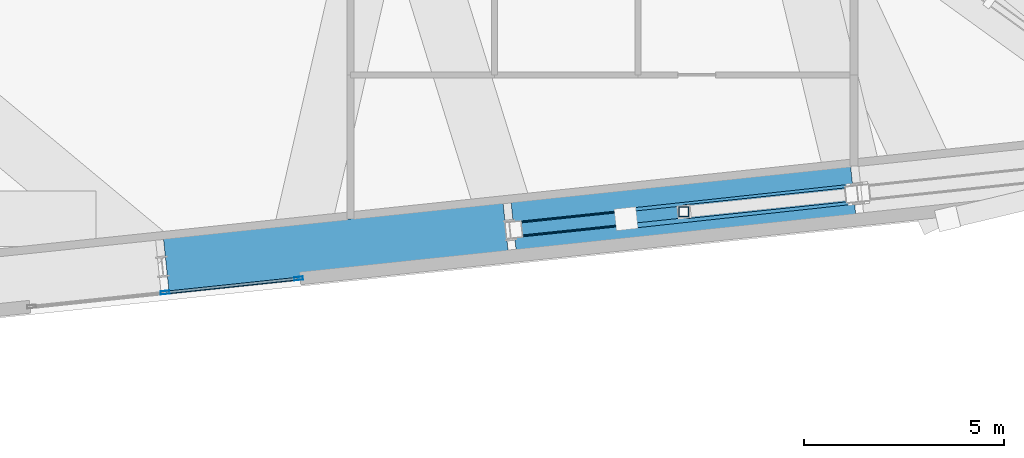
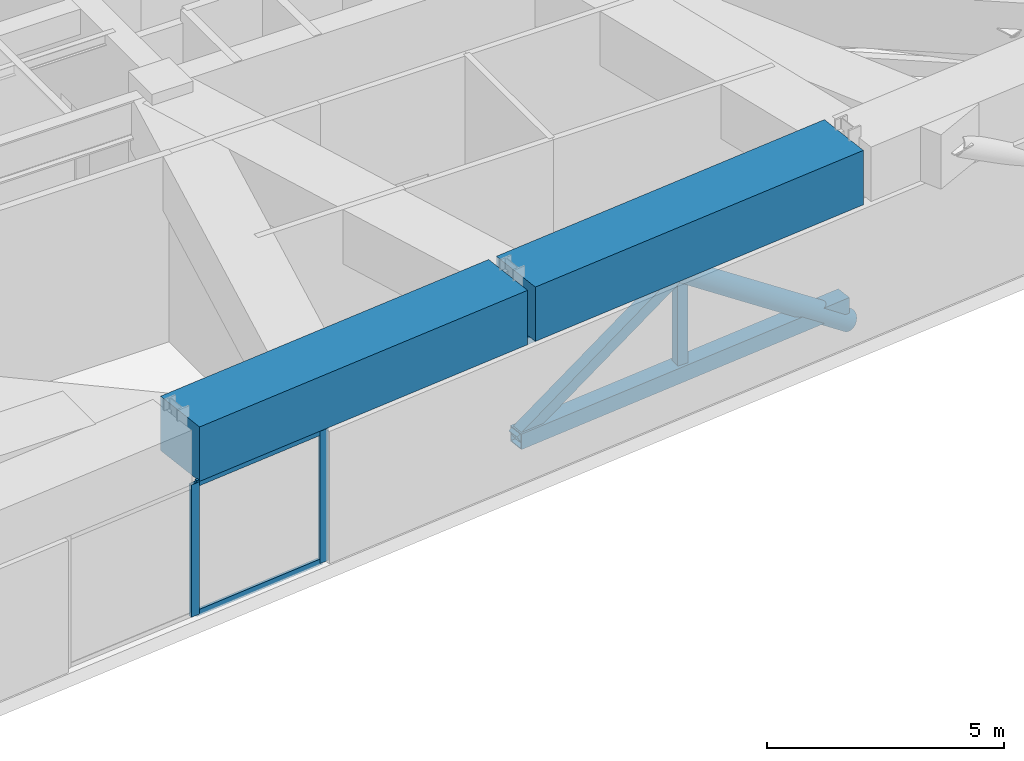
# One storey, part 9 of 23: 9 members, 2 beams, 1 element without a shape of its own.
"""IFC4 building model written with IfcOpenShell, lengths in metres."""

import ifcopenshell
import ifcopenshell.guid

model = None  # the IFC model being written
_history = None  # IfcOwnerHistory: only IFC2X3 demands one
_inside = {}  # id of a spatial element -> (the spatial element, [elements in it])
_under = {}  # id of a project, library or spatial element -> (it, [spatial elements below it])
_declared = {}  # id of a project -> (the project, [libraries it declares])
_typed = {}  # id of a type object -> (the type object, [elements of that type])
_made_of = {}  # id of a material, layer set ... -> (it, [elements and type objects made of it])


def new_model(schema):
    """Start an empty IFC model of exactly this schema.

    Asked for "IFC4X3", IfcOpenShell would pick the latest addendum, in which some entities
    have other attributes; the version numbers below select the first issue.
    IFC2X3 requires an IfcOwnerHistory on every rooted entity: one is made here for all.
    """
    global model, _history
    if schema == "IFC4X3":
        model = ifcopenshell.file(schema_version=(4, 3, 0, 0))
    else:
        model = ifcopenshell.file(schema=schema)
    _inside.clear()
    _under.clear()
    _declared.clear()
    _typed.clear()
    _made_of.clear()
    _history = None
    if model.schema == "IFC2X3":
        org = make("IfcOrganization", Name="unknown")
        user = make(
            "IfcPersonAndOrganization",
            ThePerson=make("IfcPerson", FamilyName="unknown"),
            TheOrganization=org,
        )
        app = make(
            "IfcApplication",
            ApplicationDeveloper=org,
            Version="unknown",
            ApplicationFullName="unknown",
            ApplicationIdentifier="unknown",
        )
        _history = make(
            "IfcOwnerHistory",
            OwningUser=user,
            OwningApplication=app,
            ChangeAction="ADDED",
            CreationDate=0,
        )
    return model


def make(cls, **values):
    """One entity of the class cls with the attributes given. An attribute that is None is left unset."""
    return model.create_entity(
        cls, **{name: value for name, value in values.items() if value is not None}
    )


def rooted(cls, **values):
    """An entity with a GlobalId (a new one), such as an element, a storey or a relation."""
    return make(cls, GlobalId=ifcopenshell.guid.new(), OwnerHistory=_history, **values)


def si_unit(unit_type, name, prefix=None):
    """IfcSIUnit, for example si_unit("LENGTHUNIT", "METRE", prefix="MILLI")."""
    return make("IfcSIUnit", UnitType=unit_type, Prefix=prefix, Name=name)


def assignment(units):
    """IfcUnitAssignment: the units of a project."""
    return None if units is None else make("IfcUnitAssignment", Units=units)


def point(xyz):
    """IfcCartesianPoint."""
    return None if xyz is None else make("IfcCartesianPoint", Coordinates=xyz)


def direction(xyz):
    """IfcDirection."""
    return None if xyz is None else make("IfcDirection", DirectionRatios=xyz)


def frame(location, z_axis=None, x_axis=None):
    """IfcAxis2Placement3D, a coordinate frame: its origin and axes. An axis left out is left unset."""
    return make(
        "IfcAxis2Placement3D",
        Location=point(location),
        Axis=direction(z_axis),
        RefDirection=direction(x_axis),
    )


def frame_2d(location, x_axis=None):
    """IfcAxis2Placement2D, a coordinate frame in the plane: its origin and x axis."""
    return make(
        "IfcAxis2Placement2D", Location=point(location), RefDirection=direction(x_axis)
    )


def origin():
    """The frame at (0, 0, 0) with its axes left unset."""
    return frame((0.0, 0.0, 0.0))


def origin_2d():
    """The frame at (0, 0) in the plane with its x axis left unset."""
    return frame_2d((0.0, 0.0))


def place(relative_to, where):
    """IfcLocalPlacement: puts the frame where relative to a parent placement (None: the world)."""
    return make(
        "IfcLocalPlacement", PlacementRelTo=relative_to, RelativePlacement=where
    )


def context(
    kind, dimensions, precision=None, world=None, true_north=None, identifier=None
):
    """IfcGeometricRepresentationContext, for example the 3D "Model" context."""
    return make(
        "IfcGeometricRepresentationContext",
        ContextIdentifier=identifier,
        ContextType=kind,
        CoordinateSpaceDimension=dimensions,
        Precision=precision,
        WorldCoordinateSystem=world,
        TrueNorth=true_north,
    )


def subcontext(parent, identifier, kind, view, scale=None):
    """IfcGeometricRepresentationSubContext, for example "Body" below "Model"."""
    return make(
        "IfcGeometricRepresentationSubContext",
        ContextIdentifier=identifier,
        ContextType=kind,
        ParentContext=parent,
        TargetScale=scale,
        TargetView=view,
    )


def project(units=None, contexts=None):
    """IfcProject with its units and contexts."""
    return rooted(
        "IfcProject",
        Name="project",
        RepresentationContexts=contexts,
        UnitsInContext=assignment(units),
    )


def spatial(cls, under=None, at=None, **own):
    """A site, building, storey or space (cls), placed at a placement, below another one or the project."""
    s = rooted(cls, ObjectPlacement=at, **own)
    if under is not None:
        _under.setdefault(under.id(), (under, []))[1].append(s)
    return s


def profile(cls, at=None, kind="AREA", **sizes):
    """A parametric profile (cls). Its sizes go by their IFC names, for example OverallWidth=200.0."""
    return make(cls, ProfileType=kind, Position=at, **sizes)


def rectangle(**sizes):
    """IfcRectangleProfileDef."""
    return profile("IfcRectangleProfileDef", **sizes)


def hollow_rectangle(**sizes):
    """IfcRectangleHollowProfileDef."""
    return profile("IfcRectangleHollowProfileDef", **sizes)


def hollow_circle(**sizes):
    """IfcCircleHollowProfileDef."""
    return profile("IfcCircleHollowProfileDef", **sizes)


def extrude(swept, where, along, depth):
    """IfcExtrudedAreaSolid: the profile swept, set in the frame where, extruded along a direction by depth."""
    return make(
        "IfcExtrudedAreaSolid",
        SweptArea=swept,
        Position=where,
        ExtrudedDirection=direction(along),
        Depth=depth,
    )


def shape(context_of_items, identifier, shape_type, items):
    """IfcShapeRepresentation: the items that make up one representation, for example the "Body"."""
    return make(
        "IfcShapeRepresentation",
        ContextOfItems=context_of_items,
        RepresentationIdentifier=identifier,
        RepresentationType=shape_type,
        Items=items,
    )


def material(Name=None, Category=None):
    """IfcMaterial."""
    return make("IfcMaterial", Name=Name, Category=Category)


def layer(
    of_material, thickness, ventilated=None, Name=None, Category=None, Priority=None
):
    """IfcMaterialLayer: one layer of a wall or slab, of a material (None: an air gap)."""
    return make(
        "IfcMaterialLayer",
        Material=of_material,
        LayerThickness=thickness,
        IsVentilated=ventilated,
        Name=Name,
        Category=Category,
        Priority=Priority,
    )


def layer_set(layers, Name=None):
    """IfcMaterialLayerSet."""
    return make("IfcMaterialLayerSet", MaterialLayers=layers, LayerSetName=Name)


def material_profile(
    of_material, cross_section, Name=None, Category=None, Priority=None
):
    """IfcMaterialProfile: a cross section and its material."""
    return make(
        "IfcMaterialProfile",
        Name=Name,
        Material=of_material,
        Profile=cross_section,
        Priority=Priority,
        Category=Category,
    )


def profile_set(profiles, Name=None, composite=None):
    """IfcMaterialProfileSet."""
    return make(
        "IfcMaterialProfileSet",
        Name=Name,
        MaterialProfiles=profiles,
        CompositeProfile=composite,
    )


def made_of(thing, what):
    """Note that an element or type object is made of a material, layer set ...; save() writes the relation."""
    if what is not None:
        _made_of.setdefault(what.id(), (what, []))[1].append(thing)
    return thing


def type_object(cls, material=None, **own):
    """A type object (cls), such as IfcWallType, which elements share."""
    return made_of(rooted(cls, **own), material)


def element(
    cls,
    number,
    at=None,
    inside=None,
    cuts=None,
    type_object=None,
    material=None,
    context=None,
    identifier="Body",
    shape_type=None,
    held_by="IfcProductDefinitionShape",
    body=None,
    shapes=None,
    **own,
):
    """One element of the class cls, such as IfcWall. Its Tag is "e" and its number.

    at: its placement. inside: the storey or other place that contains it. cuts: it is an
    opening in that element (IfcRelVoidsElement). A single representation is given by context,
    identifier, shape_type and body (its items); several are given by shapes. held_by: the class
    of the entity that holds the representations. save() writes the other relations.
    """
    e = rooted(cls, Tag="e%d" % number, ObjectPlacement=at, **own)
    if body is not None:
        shapes = [shape(context, identifier, shape_type, body)]
    if shapes is not None:
        e.Representation = make(held_by, Representations=shapes)
    if inside is not None:
        _inside.setdefault(inside.id(), (inside, []))[1].append(e)
    if cuts is not None:
        rooted(
            "IfcRelVoidsElement", RelatingBuildingElement=cuts, RelatedOpeningElement=e
        )
    if type_object is not None:
        _typed.setdefault(type_object.id(), (type_object, []))[1].append(e)
    return made_of(e, material)


def aggregate(whole, parts):
    """IfcRelAggregates: a whole, such as a stair, and the parts it consists of."""
    return rooted("IfcRelAggregates", RelatingObject=whole, RelatedObjects=parts)


def save(model, path):
    """Write the relations noted so far, then the file.

    IfcRelAggregates (storeys below a building ...), IfcRelContainedInSpatialStructure (elements
    in a storey), IfcRelDefinesByType, IfcRelAssociatesMaterial and IfcRelDeclares: one each for
    every whole, place, type object, material and project.
    """
    for whole, parts in _under.values():
        aggregate(whole, parts)
    for where, things in _inside.values():
        rooted(
            "IfcRelContainedInSpatialStructure",
            RelatedElements=things,
            RelatingStructure=where,
        )
    for kind, things in _typed.values():
        rooted("IfcRelDefinesByType", RelatedObjects=things, RelatingType=kind)
    for what, things in _made_of.values():
        rooted("IfcRelAssociatesMaterial", RelatedObjects=things, RelatingMaterial=what)
    for by, libraries in _declared.values():
        rooted("IfcRelDeclares", RelatingContext=by, RelatedDefinitions=libraries)
    model.write(path)


model = new_model("IFC4")

# Units and contexts
model_context = context("Model", 3, precision=1e-05, world=origin(), true_north=direction((0.0, 1.0)))
body_context = subcontext(model_context, "Body", "Model", "MODEL_VIEW")
ifc_project = project(units=[si_unit("LENGTHUNIT", "METRE"), si_unit("AREAUNIT", "SQUARE_METRE"), si_unit("VOLUMEUNIT", "CUBIC_METRE"), si_unit("PLANEANGLEUNIT", "RADIAN"), si_unit("MASSUNIT", "GRAM", prefix="KILO")], contexts=[model_context])

# Site, building, storey
site_placement = place(None, origin())
site = spatial("IfcSite", under=ifc_project, at=site_placement, CompositionType="ELEMENT")
building_placement = place(site_placement, origin())
building = spatial("IfcBuilding", under=site, at=building_placement, Name="Qobustan Lattice House", CompositionType="ELEMENT")
storey_placement = place(building_placement, frame((0.0, 0.0, 125.89990234375)))
storey = spatial("IfcBuildingStorey", under=building, at=storey_placement, Name="L35", CompositionType="ELEMENT", Elevation=125.89990234375)

# Beams
ifc_material_1 = material(Name="Concrete C60/75", Category="concrete")
ifc_material_profile_1 = material_profile(ifc_material_1, rectangle(XDim=1.39990234375, YDim=1.39990234375, at=origin_2d()), Name="RC1400x1400")
ifc_profile_set_1 = profile_set([ifc_material_profile_1], Name="Concrete C60/75")
beam_type = type_object("IfcBeamType", Name="BM-TRG-RC1400", PredefinedType="USERDEFINED", material=ifc_profile_set_1)
for number, where, z_axis, x_axis, name in (
    (1, (3.586181640625, -16.140625, 4.1201171875), (0.994523900076, 0.104509387989, 0.0), (-0.104509387989, 0.994523900076, 0.0), "L35 TT2 lower perimeter transfer girder S4-S5"),
    (2, (12.288330078125, -15.22607421875, 4.1201171875), (0.994523900076, 0.104509387989, 0.0), (-0.104509387989, 0.994523900076, 0.0), "L35 TT2 lower perimeter transfer girder S5-S6"),
):
    element("IfcBeam", number, at=place(storey_placement, frame(where, z_axis=z_axis, x_axis=x_axis)), inside=storey, type_object=beam_type, Name=name, ObjectType="GIRDER", PredefinedType="USERDEFINED", context=body_context, shape_type="SweptSolid", body=[
        extrude(rectangle(XDim=1.39990234375, YDim=1.39990234375, at=origin_2d()), origin(), (0.0, 0.0, 1.0), 8.550048828125),
    ])

# Curtain wall, members
ifc_material_2 = material(Name="Anodised aluminium and low-E glazing", Category="aluminium")
ifc_layer = layer(ifc_material_2, 0.219970703125)
ifc_layer_set = layer_set([ifc_layer], Name="Anodised aluminium and low-E glazing")
curtain_wall_type = type_object("IfcCurtainWallType", Name="CW-TRN-01", PredefinedType="USERDEFINED", material=ifc_layer_set)
curtain_wall_placement = place(storey_placement, origin())
curtain_wall = element("IfcCurtainWall", 3, at=curtain_wall_placement, inside=storey, type_object=curtain_wall_type, Name="L35 S transfer sky-lobby curtain wall", ObjectType="CURTAIN WALL", PredefinedType="USERDEFINED")
ifc_material_3 = material(Name="Anodised aluminium EN AW-6063 T6", Category="aluminium")
ifc_material_profile_2 = material_profile(ifc_material_3, hollow_rectangle(XDim=0.080078125, YDim=0.219970703125, WallThickness=0.0048828125, at=origin_2d()), Name="CWM-220x80")
ifc_profile_set_2 = profile_set([ifc_material_profile_2], Name="Anodised aluminium EN AW-6063 T6")
member_type_1 = type_object("IfcMemberType", Name="CWM-MAIN-220", PredefinedType="MULLION", material=ifc_profile_set_2)
member_1_placement = place(storey_placement, frame((6.896240234375, -16.4462890625, 0.0), z_axis=(0.0, 0.0, 1.0), x_axis=(0.104544694075, -0.994520189308, 0.0)))
member_1 = element("IfcMember", 4, at=member_1_placement, type_object=member_type_1, Name="CW-TR mullion 1", PredefinedType="MULLION", context=body_context, shape_type="SweptSolid", body=[
    extrude(hollow_rectangle(XDim=0.080078125, YDim=0.219970703125, WallThickness=0.0048828125, at=origin_2d()), origin(), (0.0, 0.0, 1.0), 3.405029296875),
])
member_2_placement = place(storey_placement, frame((3.5546875, -16.797607421875, 0.0), z_axis=(0.0, 0.0, 1.0), x_axis=(0.104544694075, -0.994520189308, 0.0)))
member_2 = element("IfcMember", 5, at=member_2_placement, type_object=member_type_1, Name="CW-TR mullion 2", PredefinedType="MULLION", context=body_context, shape_type="SweptSolid", body=[
    extrude(hollow_rectangle(XDim=0.080078125, YDim=0.219970703125, WallThickness=0.0048828125, at=origin_2d()), origin(), (0.0, 0.0, 1.0), 3.405029296875),
])
ifc_material_4 = material(Name="Anodised aluminium EN AW-6063 T6", Category="aluminium")
ifc_material_profile_3 = material_profile(ifc_material_4, hollow_rectangle(XDim=0.06494140625, YDim=0.159912109375, WallThickness=0.00390625, at=origin_2d()), Name="CWT-160x65")
ifc_profile_set_3 = profile_set([ifc_material_profile_3], Name="Anodised aluminium EN AW-6063 T6")
member_type_2 = type_object("IfcMemberType", Name="CWT-HOR-160", PredefinedType="USERDEFINED", material=ifc_profile_set_3)
member_3_placement = place(storey_placement, frame((6.8564453125, -16.450439453125, 0.03271484375), z_axis=(-0.994516459614, -0.104580168083, 0.0), x_axis=(0.104580168083, -0.994516459614, 0.0)))
member_3 = element("IfcMember", 6, at=member_3_placement, type_object=member_type_2, Name="CW-TR transom 1.1", ObjectType="TRANSOM", PredefinedType="USERDEFINED", context=body_context, shape_type="SweptSolid", body=[
    extrude(hollow_rectangle(XDim=0.06494140625, YDim=0.159912109375, WallThickness=0.00390625, at=origin_2d()), origin(), (0.0, 0.0, 1.0), 3.280029296875),
])
member_4_placement = place(storey_placement, frame((6.8564453125, -16.450439453125, 3.37255859375), z_axis=(-0.994516459614, -0.104580168083, 0.0), x_axis=(0.104580168083, -0.994516459614, 0.0)))
member_4 = element("IfcMember", 7, at=member_4_placement, type_object=member_type_2, Name="CW-TR transom 1.2", ObjectType="TRANSOM", PredefinedType="USERDEFINED", context=body_context, shape_type="SweptSolid", body=[
    extrude(hollow_rectangle(XDim=0.06494140625, YDim=0.159912109375, WallThickness=0.00390625, at=origin_2d()), origin(), (0.0, 0.0, 1.0), 3.280029296875),
])
aggregate(curtain_wall, [member_1, member_2, member_3, member_4])

# Members
ifc_material_5 = material(Name="Steel S355", Category="steel")
ifc_material_profile_4 = material_profile(ifc_material_5, hollow_rectangle(XDim=0.300048828125, YDim=0.300048828125, WallThickness=0.01611328125, at=origin_2d()), Name="SHS300x300x16")
ifc_profile_set_4 = profile_set([ifc_material_profile_4], Name="Steel S355")
member_type_3 = type_object("IfcMemberType", Name="MEM-BRC-SHS300", PredefinedType="BRACE", material=ifc_profile_set_4)
member_5_placement = place(storey_placement, frame((12.288330078125, -15.22607421875, 0.550048828125), z_axis=(0.850580197044, 0.089385652957, 0.518192564054), x_axis=(-0.104512355942, 0.994523588185, 0.0)))
element("IfcMember", 8, at=member_5_placement, inside=storey, type_object=member_type_3, Name="L35 TT2 belt truss web diagonal S5-S6 A", PredefinedType="BRACE", context=body_context, shape_type="SweptSolid", body=[
    extrude(hollow_rectangle(XDim=0.300048828125, YDim=0.300048828125, WallThickness=0.01611328125, at=origin_2d()), origin(), (0.0, 0.0, 1.0), 4.998291015625),
])
ifc_material_6 = material(Name="Steel S355", Category="steel")
ifc_material_profile_5 = material_profile(ifc_material_6, hollow_rectangle(XDim=0.35009765625, YDim=0.35009765625, WallThickness=0.01611328125, at=origin_2d()), Name="SHS350x350x16")
ifc_profile_set_5 = profile_set([ifc_material_profile_5], Name="Steel S355")
member_type_4 = type_object("IfcMemberType", Name="MEM-CHD-SHS350", PredefinedType="CHORD", material=ifc_profile_set_5)
member_6_placement = place(storey_placement, frame((12.288330078125, -15.22607421875, 3.14013671875), z_axis=(0.994523900076, 0.104509387989, 0.0), x_axis=(-0.104509387989, 0.994523900076, 0.0)))
element("IfcMember", 9, at=member_6_placement, inside=storey, type_object=member_type_4, Name="L35 TT2 belt truss top chord S5-S6", PredefinedType="CHORD", context=body_context, shape_type="SweptSolid", body=[
    extrude(hollow_rectangle(XDim=0.35009765625, YDim=0.35009765625, WallThickness=0.01611328125, at=origin_2d()), origin(), (0.0, 0.0, 1.0), 8.550048828125),
])
ifc_material_7 = material(Name="Steel S355", Category="steel")
ifc_material_profile_6 = material_profile(ifc_material_7, hollow_rectangle(XDim=0.39990234375, YDim=0.39990234375, WallThickness=0.02001953125, at=origin_2d()), Name="SHS400x400x20")
ifc_profile_set_6 = profile_set([ifc_material_profile_6], Name="Steel S355")
member_type_5 = type_object("IfcMemberType", Name="MEM-CHD-SHS400", PredefinedType="CHORD", material=ifc_profile_set_6)
member_7_placement = place(storey_placement, frame((12.288330078125, -15.22607421875, 0.550048828125), z_axis=(0.994523900076, 0.104509387989, 0.0), x_axis=(-0.104509387989, 0.994523900076, 0.0)))
element("IfcMember", 10, at=member_7_placement, inside=storey, type_object=member_type_5, Name="L35 TT2 belt truss bottom chord S5-S6", PredefinedType="CHORD", context=body_context, shape_type="SweptSolid", body=[
    extrude(hollow_rectangle(XDim=0.39990234375, YDim=0.39990234375, WallThickness=0.02001953125, at=origin_2d()), origin(), (0.0, 0.0, 1.0), 8.550048828125),
])
ifc_material_8 = material(Name="Steel S355", Category="steel")
ifc_material_profile_7 = material_profile(ifc_material_8, hollow_rectangle(XDim=0.25, YDim=0.25, WallThickness=0.012451171875, at=origin_2d()), Name="SHS250x250x12.5")
ifc_profile_set_7 = profile_set([ifc_material_profile_7], Name="Steel S355")
member_type_6 = type_object("IfcMemberType", Name="MEM-PST-SHS250", PredefinedType="POST", material=ifc_profile_set_7)
member_8_placement = place(storey_placement, frame((16.539794921875, -14.779296875, 0.550048828125), z_axis=(0.0, 0.0, 1.0), x_axis=(1.0, 0.0, 0.0)))
element("IfcMember", 11, at=member_8_placement, inside=storey, type_object=member_type_6, Name="L35 TT2 belt truss vertical post S5-S6", PredefinedType="POST", context=body_context, shape_type="SweptSolid", body=[
    extrude(hollow_rectangle(XDim=0.25, YDim=0.25, WallThickness=0.012451171875, at=origin_2d()), origin(), (0.0, 0.0, 1.0), 2.590087890625),
])
ifc_material_9 = material(Name="Steel S355", Category="steel")
ifc_material_profile_8 = material_profile(ifc_material_9, hollow_circle(Radius=0.25390625, WallThickness=0.02001953125, at=origin_2d()), Name="CHS508x20")
ifc_profile_set_8 = profile_set([ifc_material_profile_8], Name="Steel S355")
member_type_7 = type_object("IfcMemberType", Name="MEM-STR-CHS508", PredefinedType="STRUT", material=ifc_profile_set_8)
member_9_placement = place(storey_placement, frame((20.890869140625, -14.322021484375, 0.01513671875), z_axis=(-0.812639257688, -0.088119573792, 0.576066296166), x_axis=(0.107804322422, -0.994172132011, 0.0)))
element("IfcMember", 12, at=member_9_placement, inside=storey, type_object=member_type_7, Name="L35 TT2 column transfer strut S6", PredefinedType="STRUT", context=body_context, shape_type="SweptSolid", body=[
    extrude(hollow_circle(Radius=0.25390625, WallThickness=0.02001953125, at=origin_2d()), origin(), (0.0, 0.0, 1.0), 7.1259765625),
])

save(model, "model.ifc")
